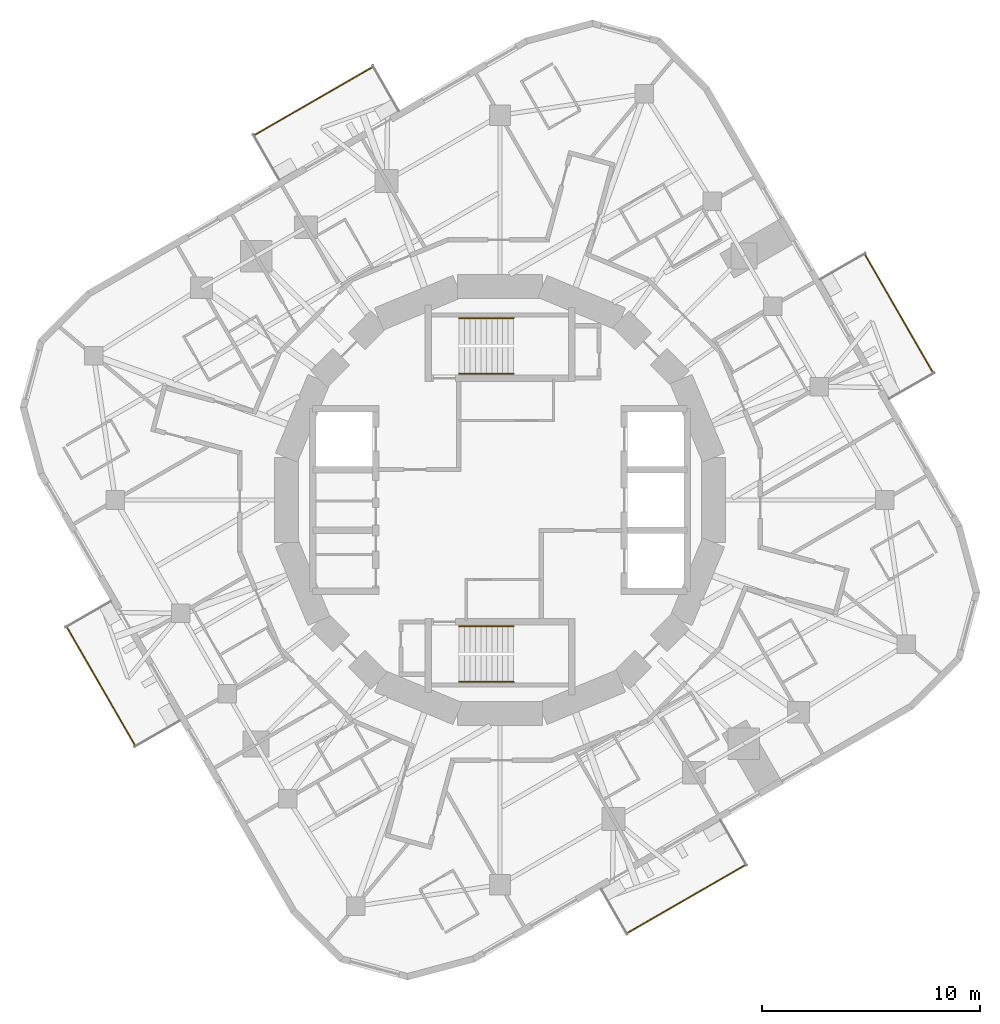
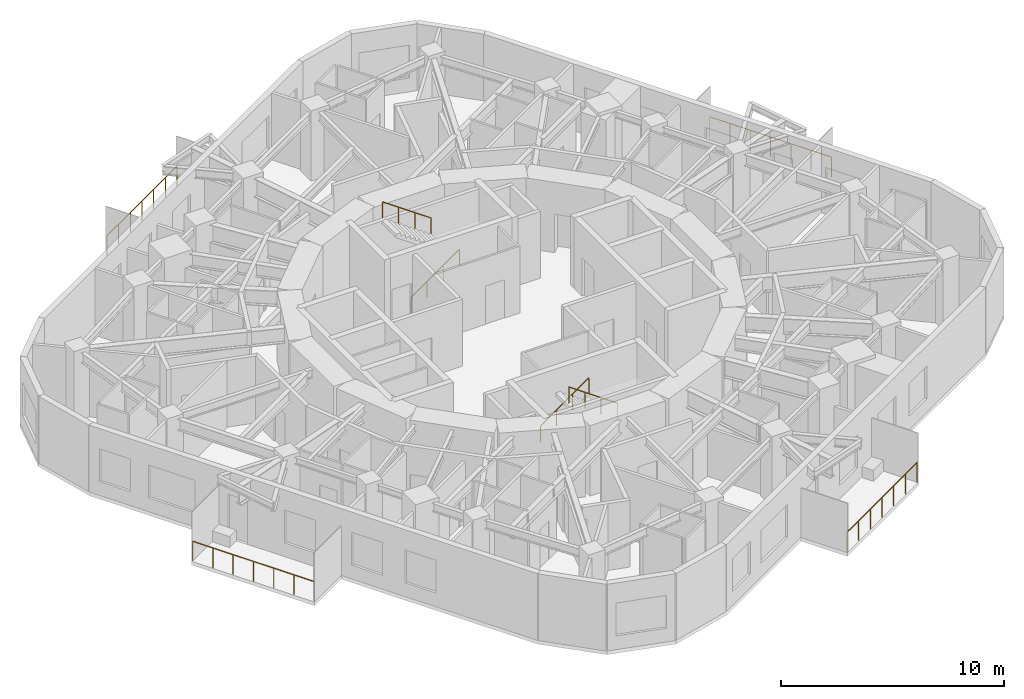
# One storey, part 10 of 11: 8 railings.
"""IFC4 building model written with IfcOpenShell, lengths in metres."""

from ifc_helpers import new_model, si_unit, direction, frame, origin, origin_2d, place, context, subcontext, project, spatial, circle, extrude, material, type_object, element, save


model = new_model("IFC4")

# Units and contexts
model_context = context("Model", 3, precision=1e-05, world=origin(), true_north=direction((0.0, 1.0)))
body_context = subcontext(model_context, "Body", "Model", "MODEL_VIEW")
ifc_project = project(units=[si_unit("LENGTHUNIT", "METRE"), si_unit("AREAUNIT", "SQUARE_METRE"), si_unit("VOLUMEUNIT", "CUBIC_METRE"), si_unit("PLANEANGLEUNIT", "RADIAN"), si_unit("MASSUNIT", "GRAM", prefix="KILO")], contexts=[model_context])

# Site, building, storey
site_placement = place(None, origin())
site = spatial("IfcSite", under=ifc_project, at=site_placement, CompositionType="ELEMENT")
building_placement = place(site_placement, origin())
building = spatial("IfcBuilding", under=site, at=building_placement, Name="Nakasero Lantern House", CompositionType="ELEMENT")
storey_placement = place(building_placement, frame((0.0, 0.0, 242.35009765625)))
storey = spatial("IfcBuildingStorey", under=building, at=storey_placement, Name="L59", CompositionType="ELEMENT", Elevation=242.35009765625)

# Railings
ifc_material_1 = material(Name="Aluminium 6063-T6", Category="aluminium")
railing_type_1 = type_object("IfcRailingType", Name="Balcony guard 1100", PredefinedType="BALUSTRADE", material=ifc_material_1)
railing_1_placement = place(storey_placement, frame((19.894775390625, 5.84130859375, 0.0)))
element("IfcRailing", 1, at=railing_1_placement, inside=storey, type_object=railing_type_1, Name="Balcony guard L59 BAL0", PredefinedType="BALUSTRADE", context=body_context, shape_type="SweptSolid", body=[
    extrude(circle(Radius=0.02392578125, at=origin_2d()), frame((0.0, 0.0, 1.076171875), z_axis=(-0.500007975732, 0.866020798945, 0.0), x_axis=(-0.866020798945, -0.500007975732, 0.0)), (0.0, 0.0, 1.0), 6.29150390625),
    extrude(circle(Radius=0.02099609375, at=origin_2d()), origin(), (0.0, 0.0, 1.0), 1.052001953125),
    extrude(circle(Radius=0.02099609375, at=origin_2d()), frame((-0.5244140625, 0.908203125, 0.0)), (0.0, 0.0, 1.0), 1.052001953125),
    extrude(circle(Radius=0.02099609375, at=origin_2d()), frame((-1.048583984375, 1.816162109375, 0.0)), (0.0, 0.0, 1.0), 1.052001953125),
    extrude(circle(Radius=0.02099609375, at=origin_2d()), frame((-1.57275390625, 2.72412109375, 0.0)), (0.0, 0.0, 1.0), 1.052001953125),
    extrude(circle(Radius=0.02099609375, at=origin_2d()), frame((-2.09716796875, 3.63232421875, 0.0)), (0.0, 0.0, 1.0), 1.052001953125),
    extrude(circle(Radius=0.02099609375, at=origin_2d()), frame((-2.62158203125, 4.54052734375, 0.0)), (0.0, 0.0, 1.0), 1.052001953125),
    extrude(circle(Radius=0.02099609375, at=origin_2d()), frame((-3.145751953125, 5.448486328125, 0.0)), (0.0, 0.0, 1.0), 1.052001953125),
])
railing_2_placement = place(storey_placement, frame((-5.84130859375, 19.894775390625, 0.0)))
element("IfcRailing", 2, at=railing_2_placement, inside=storey, type_object=railing_type_1, Name="Balcony guard L59 BAL1", PredefinedType="BALUSTRADE", context=body_context, shape_type="SweptSolid", body=[
    extrude(circle(Radius=0.02392578125, at=origin_2d()), frame((0.0, 0.0, 1.076171875), z_axis=(-0.866020798945, -0.500007975732, 0.0), x_axis=(0.500007975732, -0.866020798945, 0.0)), (0.0, 0.0, 1.0), 6.29150390625),
    extrude(circle(Radius=0.02099609375, at=origin_2d()), origin(), (0.0, 0.0, 1.0), 1.052001953125),
    extrude(circle(Radius=0.02099609375, at=origin_2d()), frame((-0.908203125, -0.5244140625, 0.0)), (0.0, 0.0, 1.0), 1.052001953125),
    extrude(circle(Radius=0.02099609375, at=origin_2d()), frame((-1.816162109375, -1.048583984375, 0.0)), (0.0, 0.0, 1.0), 1.052001953125),
    extrude(circle(Radius=0.02099609375, at=origin_2d()), frame((-2.72412109375, -1.57275390625, 0.0)), (0.0, 0.0, 1.0), 1.052001953125),
    extrude(circle(Radius=0.02099609375, at=origin_2d()), frame((-3.63232421875, -2.09716796875, 0.0)), (0.0, 0.0, 1.0), 1.052001953125),
    extrude(circle(Radius=0.02099609375, at=origin_2d()), frame((-4.54052734375, -2.62158203125, 0.0)), (0.0, 0.0, 1.0), 1.052001953125),
    extrude(circle(Radius=0.02099609375, at=origin_2d()), frame((-5.448486328125, -3.145751953125, 0.0)), (0.0, 0.0, 1.0), 1.052001953125),
])
railing_3_placement = place(storey_placement, frame((-19.894775390625, -5.84130859375, 0.0)))
element("IfcRailing", 3, at=railing_3_placement, inside=storey, type_object=railing_type_1, Name="Balcony guard L59 BAL2", PredefinedType="BALUSTRADE", context=body_context, shape_type="SweptSolid", body=[
    extrude(circle(Radius=0.02392578125, at=origin_2d()), frame((0.0, 0.0, 1.076171875), z_axis=(0.500007975732, -0.866020798945, 0.0), x_axis=(0.866020798945, 0.500007975732, 0.0)), (0.0, 0.0, 1.0), 6.29150390625),
    extrude(circle(Radius=0.02099609375, at=origin_2d()), origin(), (0.0, 0.0, 1.0), 1.052001953125),
    extrude(circle(Radius=0.02099609375, at=origin_2d()), frame((0.5244140625, -0.908203125, 0.0)), (0.0, 0.0, 1.0), 1.052001953125),
    extrude(circle(Radius=0.02099609375, at=origin_2d()), frame((1.048583984375, -1.816162109375, 0.0)), (0.0, 0.0, 1.0), 1.052001953125),
    extrude(circle(Radius=0.02099609375, at=origin_2d()), frame((1.57275390625, -2.72412109375, 0.0)), (0.0, 0.0, 1.0), 1.052001953125),
    extrude(circle(Radius=0.02099609375, at=origin_2d()), frame((2.09716796875, -3.63232421875, 0.0)), (0.0, 0.0, 1.0), 1.052001953125),
    extrude(circle(Radius=0.02099609375, at=origin_2d()), frame((2.62158203125, -4.54052734375, 0.0)), (0.0, 0.0, 1.0), 1.052001953125),
    extrude(circle(Radius=0.02099609375, at=origin_2d()), frame((3.145751953125, -5.448486328125, 0.0)), (0.0, 0.0, 1.0), 1.052001953125),
])
railing_4_placement = place(storey_placement, frame((5.84130859375, -19.894775390625, 0.0)))
element("IfcRailing", 4, at=railing_4_placement, inside=storey, type_object=railing_type_1, Name="Balcony guard L59 BAL3", PredefinedType="BALUSTRADE", context=body_context, shape_type="SweptSolid", body=[
    extrude(circle(Radius=0.02392578125, at=origin_2d()), frame((0.0, 0.0, 1.076171875), z_axis=(0.866020798945, 0.500007975732, 0.0), x_axis=(-0.500007975732, 0.866020798945, 0.0)), (0.0, 0.0, 1.0), 6.29150390625),
    extrude(circle(Radius=0.02099609375, at=origin_2d()), origin(), (0.0, 0.0, 1.0), 1.052001953125),
    extrude(circle(Radius=0.02099609375, at=origin_2d()), frame((0.908203125, 0.5244140625, 0.0)), (0.0, 0.0, 1.0), 1.052001953125),
    extrude(circle(Radius=0.02099609375, at=origin_2d()), frame((1.816162109375, 1.048583984375, 0.0)), (0.0, 0.0, 1.0), 1.052001953125),
    extrude(circle(Radius=0.02099609375, at=origin_2d()), frame((2.72412109375, 1.57275390625, 0.0)), (0.0, 0.0, 1.0), 1.052001953125),
    extrude(circle(Radius=0.02099609375, at=origin_2d()), frame((3.63232421875, 2.09716796875, 0.0)), (0.0, 0.0, 1.0), 1.052001953125),
    extrude(circle(Radius=0.02099609375, at=origin_2d()), frame((4.54052734375, 2.62158203125, 0.0)), (0.0, 0.0, 1.0), 1.052001953125),
    extrude(circle(Radius=0.02099609375, at=origin_2d()), frame((5.448486328125, 3.145751953125, 0.0)), (0.0, 0.0, 1.0), 1.052001953125),
])
ifc_material_2 = material(Name="Stainless steel 316", Category="steel")
railing_type_2 = type_object("IfcRailingType", Name="Stair handrail 900", PredefinedType="HANDRAIL", material=ifc_material_2)
railing_5_placement = place(storey_placement, frame((-1.875, 5.800048828125, 0.1748046875)))
element("IfcRailing", 5, at=railing_5_placement, inside=storey, type_object=railing_type_2, Name="Handrail ST1 L59 flight 1", PredefinedType="HANDRAIL", context=body_context, shape_type="SweptSolid", body=[
    extrude(circle(Radius=0.02392578125, at=origin_2d()), frame((0.0, 0.0, 0.8759765625), z_axis=(0.819231920519, 0.0, 0.573462344363), x_axis=(0.0, 1.0, 0.0)), (0.0, 0.0, 1.0), 3.0517578125),
    extrude(circle(Radius=0.02099609375, at=origin_2d()), origin(), (0.0, 0.0, 1.0), 0.851806640625),
    extrude(circle(Radius=0.02099609375, at=origin_2d()), frame((0.833251953125, 0.0, 0.583251953125)), (0.0, 0.0, 1.0), 0.851806640625),
    extrude(circle(Radius=0.02099609375, at=origin_2d()), frame((1.666748046875, 0.0, 1.166748046875)), (0.0, 0.0, 1.0), 0.851806640625),
    extrude(circle(Radius=0.02099609375, at=origin_2d()), frame((2.5, 0.0, 1.75)), (0.0, 0.0, 1.0), 0.851806640625),
])
railing_6_placement = place(storey_placement, frame((0.625, 8.35009765625, 2.099853515625)))
element("IfcRailing", 6, at=railing_6_placement, inside=storey, type_object=railing_type_2, Name="Handrail ST1 L59 flight 2", PredefinedType="HANDRAIL", context=body_context, shape_type="SweptSolid", body=[
    extrude(circle(Radius=0.02392578125, at=origin_2d()), frame((0.0, 0.0, 0.8759765625), z_axis=(-0.819231920519, 0.0, 0.573462344363), x_axis=(0.0, -1.0, 0.0)), (0.0, 0.0, 1.0), 3.0517578125),
    extrude(circle(Radius=0.02099609375, at=origin_2d()), origin(), (0.0, 0.0, 1.0), 0.851806640625),
    extrude(circle(Radius=0.02099609375, at=origin_2d()), frame((-0.833251953125, 0.0, 0.583251953125)), (0.0, 0.0, 1.0), 0.851806640625),
    extrude(circle(Radius=0.02099609375, at=origin_2d()), frame((-1.666748046875, 0.0, 1.166748046875)), (0.0, 0.0, 1.0), 0.851806640625),
    extrude(circle(Radius=0.02099609375, at=origin_2d()), frame((-2.5, 0.0, 1.75)), (0.0, 0.0, 1.0), 0.851806640625),
])
railing_7_placement = place(storey_placement, frame((-1.875, -5.800048828125, 0.1748046875)))
element("IfcRailing", 7, at=railing_7_placement, inside=storey, type_object=railing_type_2, Name="Handrail ST2 L59 flight 1", PredefinedType="HANDRAIL", context=body_context, shape_type="SweptSolid", body=[
    extrude(circle(Radius=0.02392578125, at=origin_2d()), frame((0.0, 0.0, 0.8759765625), z_axis=(0.819231920519, 0.0, 0.573462344363), x_axis=(0.0, 1.0, 0.0)), (0.0, 0.0, 1.0), 3.0517578125),
    extrude(circle(Radius=0.02099609375, at=origin_2d()), origin(), (0.0, 0.0, 1.0), 0.851806640625),
    extrude(circle(Radius=0.02099609375, at=origin_2d()), frame((0.833251953125, 0.0, 0.583251953125)), (0.0, 0.0, 1.0), 0.851806640625),
    extrude(circle(Radius=0.02099609375, at=origin_2d()), frame((1.666748046875, 0.0, 1.166748046875)), (0.0, 0.0, 1.0), 0.851806640625),
    extrude(circle(Radius=0.02099609375, at=origin_2d()), frame((2.5, 0.0, 1.75)), (0.0, 0.0, 1.0), 0.851806640625),
])
railing_8_placement = place(storey_placement, frame((0.625, -8.35009765625, 2.099853515625)))
element("IfcRailing", 8, at=railing_8_placement, inside=storey, type_object=railing_type_2, Name="Handrail ST2 L59 flight 2", PredefinedType="HANDRAIL", context=body_context, shape_type="SweptSolid", body=[
    extrude(circle(Radius=0.02392578125, at=origin_2d()), frame((0.0, 0.0, 0.8759765625), z_axis=(-0.819231920519, 0.0, 0.573462344363), x_axis=(0.0, -1.0, 0.0)), (0.0, 0.0, 1.0), 3.0517578125),
    extrude(circle(Radius=0.02099609375, at=origin_2d()), origin(), (0.0, 0.0, 1.0), 0.851806640625),
    extrude(circle(Radius=0.02099609375, at=origin_2d()), frame((-0.833251953125, 0.0, 0.583251953125)), (0.0, 0.0, 1.0), 0.851806640625),
    extrude(circle(Radius=0.02099609375, at=origin_2d()), frame((-1.666748046875, 0.0, 1.166748046875)), (0.0, 0.0, 1.0), 0.851806640625),
    extrude(circle(Radius=0.02099609375, at=origin_2d()), frame((-2.5, 0.0, 1.75)), (0.0, 0.0, 1.0), 0.851806640625),
])

save(model, "model.ifc")
